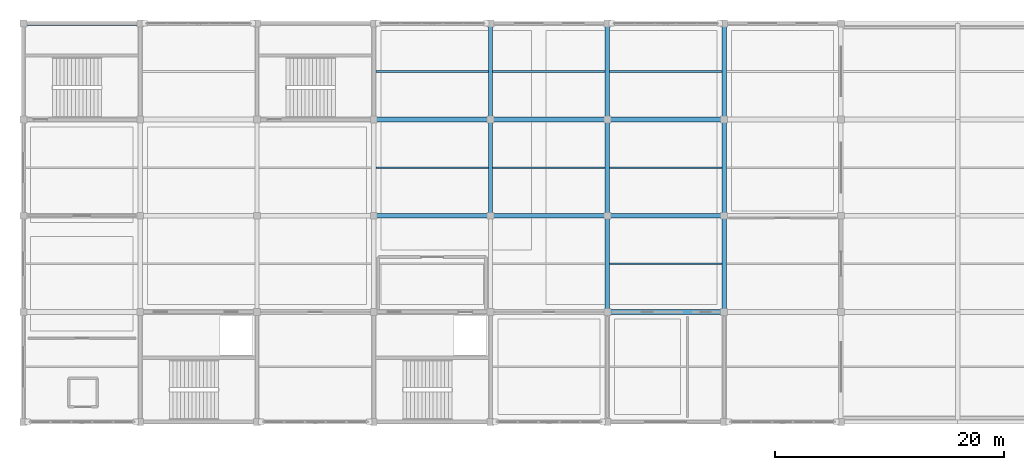
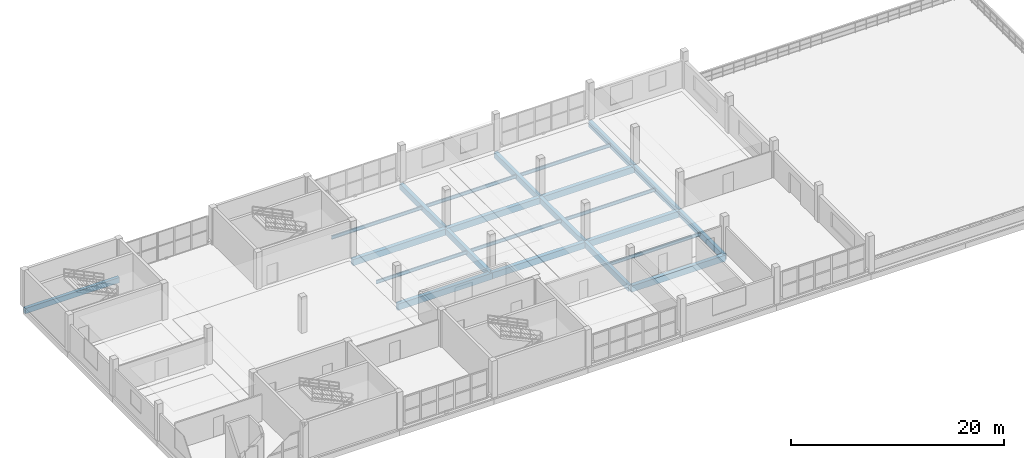
# One storey, part 10 of 24: 23 beams.
"""IFC4 building model written with IfcOpenShell, lengths in metres."""

from ifc_helpers import new_model, si_unit, direction, frame, origin, origin_2d, place, context, subcontext, project, spatial, rectangle, i_section, extrude, material, material_profile, profile_set, type_object, element, save


model = new_model("IFC4")

# Units and contexts
model_context = context("Model", 3, precision=1e-05, world=origin(), true_north=direction((0.0, 1.0)))
body_context = subcontext(model_context, "Body", "Model", "MODEL_VIEW")
ifc_project = project(units=[si_unit("LENGTHUNIT", "METRE"), si_unit("AREAUNIT", "SQUARE_METRE"), si_unit("VOLUMEUNIT", "CUBIC_METRE"), si_unit("PLANEANGLEUNIT", "RADIAN"), si_unit("MASSUNIT", "GRAM", prefix="KILO")], contexts=[model_context])

# Site, building, storey
site_placement = place(None, origin())
site = spatial("IfcSite", under=ifc_project, at=site_placement, CompositionType="ELEMENT")
building_placement = place(site_placement, origin())
building = spatial("IfcBuilding", under=site, at=building_placement, Name="Brelvane Convention Centre", CompositionType="ELEMENT")
storey_placement = place(building_placement, frame((0.0, 0.0, 19.199951171875)))
storey = spatial("IfcBuildingStorey", under=building, at=storey_placement, Name="L04", CompositionType="ELEMENT", Elevation=19.199951171875)

# Beams
ifc_material_1 = material(Name="Concrete M40", Category="concrete")
ifc_material_profile_1 = material_profile(ifc_material_1, rectangle(XDim=0.419921875, YDim=0.719970703125, at=origin_2d()), Name="RC 420x720")
ifc_profile_set_1 = profile_set([ifc_material_profile_1], Name="Concrete M40")
beam_type_1 = type_object("IfcBeamType", Name="RC Beam B-RC13 (RC 420x720)", PredefinedType="BEAM", material=ifc_profile_set_1)
for number, where, z_axis, x_axis, name in (
    (1, (30.60009765625, 127.199951171875, -0.6650390625), (1.0, 0.0, 0.0), (0.0, 1.0, 0.0), "L04 Beam 4-5/N"),
    (2, (30.60009765625, 135.60009765625, -0.6650390625), (1.0, 0.0, 0.0), (0.0, 1.0, 0.0), "L04 Beam 4-5/P"),
    (3, (40.800048828125, 127.199951171875, -0.64990234375), (1.0, 0.0, 0.0), (0.0, 1.0, 0.0), "L04 Beam 5-6/N"),
    (4, (40.800048828125, 135.60009765625, -0.64990234375), (1.0, 0.0, 0.0), (0.0, 1.0, 0.0), "L04 Beam 5-6/P"),
    (5, (51.0, 118.800048828125, -0.64990234375), (1.0, 0.0, 0.0), (0.0, 1.0, 0.0), "L04 Beam 6-7/M"),
    (6, (51.0, 127.199951171875, -0.64990234375), (1.0, 0.0, 0.0), (0.0, 1.0, 0.0), "L04 Beam 6-7/N"),
    (7, (51.0, 135.60009765625, -0.64990234375), (1.0, 0.0, 0.0), (0.0, 1.0, 0.0), "L04 Beam 6-7/P"),
):
    element("IfcBeam", number, at=place(storey_placement, frame(where, z_axis=z_axis, x_axis=x_axis)), inside=storey, type_object=beam_type_1, Name=name, PredefinedType="BEAM", context=body_context, shape_type="SweptSolid", body=[
        extrude(rectangle(XDim=0.419921875, YDim=0.719970703125, at=origin_2d()), origin(), (0.0, 0.0, 1.0), 10.199951171875),
    ])
ifc_material_2 = material(Name="Concrete M40", Category="concrete")
ifc_material_profile_2 = material_profile(ifc_material_2, rectangle(XDim=0.3798828125, YDim=0.679931640625, at=origin_2d()), Name="RC 380x680")
ifc_profile_set_2 = profile_set([ifc_material_profile_2], Name="Concrete M40")
beam_type_2 = type_object("IfcBeamType", Name="RC Beam B-RC14 (RC 380x680)", PredefinedType="BEAM", material=ifc_profile_set_2)
beam_1_placement = place(storey_placement, frame((40.800048828125, 127.199951171875, -0.64501953125), z_axis=(0.0, 1.0, 0.0), x_axis=(-1.0, 0.0, 0.0)))
element("IfcBeam", 8, at=beam_1_placement, inside=storey, type_object=beam_type_2, Name="L04 Girder 5/N-P", PredefinedType="BEAM", context=body_context, shape_type="SweptSolid", body=[
    extrude(rectangle(XDim=0.3798828125, YDim=0.679931640625, at=origin_2d()), origin(), (0.0, 0.0, 1.0), 8.400146484375),
])
for number, where, z_axis, x_axis, name in (
    (9, (40.800048828125, 135.60009765625, -0.64501953125), (0.0, 1.0, 0.0), (-1.0, 0.0, 0.0), "L04 Girder 5/P-Q"),
    (10, (51.0, 118.800048828125, -0.6298828125), (0.0, 1.0, 0.0), (-1.0, 0.0, 0.0), "L04 Girder 6/M-N"),
):
    element("IfcBeam", number, at=place(storey_placement, frame(where, z_axis=z_axis, x_axis=x_axis)), inside=storey, type_object=beam_type_2, Name=name, PredefinedType="BEAM", context=body_context, shape_type="SweptSolid", body=[
        extrude(rectangle(XDim=0.3798828125, YDim=0.679931640625, at=origin_2d()), origin(), (0.0, 0.0, 1.0), 8.39990234375),
    ])
beam_2_placement = place(storey_placement, frame((51.0, 127.199951171875, -0.6298828125), z_axis=(0.0, 1.0, 0.0), x_axis=(-1.0, 0.0, 0.0)))
element("IfcBeam", 11, at=beam_2_placement, inside=storey, type_object=beam_type_2, Name="L04 Girder 6/N-P", PredefinedType="BEAM", context=body_context, shape_type="SweptSolid", body=[
    extrude(rectangle(XDim=0.3798828125, YDim=0.679931640625, at=origin_2d()), origin(), (0.0, 0.0, 1.0), 8.400146484375),
])
for number, where, z_axis, x_axis, name in (
    (12, (51.0, 135.60009765625, -0.6298828125), (0.0, 1.0, 0.0), (-1.0, 0.0, 0.0), "L04 Girder 6/P-Q"),
    (13, (61.199951171875, 118.800048828125, -0.6298828125), (0.0, 1.0, 0.0), (-1.0, 0.0, 0.0), "L04 Girder 7/M-N"),
):
    element("IfcBeam", number, at=place(storey_placement, frame(where, z_axis=z_axis, x_axis=x_axis)), inside=storey, type_object=beam_type_2, Name=name, PredefinedType="BEAM", context=body_context, shape_type="SweptSolid", body=[
        extrude(rectangle(XDim=0.3798828125, YDim=0.679931640625, at=origin_2d()), origin(), (0.0, 0.0, 1.0), 8.39990234375),
    ])
beam_3_placement = place(storey_placement, frame((61.199951171875, 127.199951171875, -0.6298828125), z_axis=(0.0, 1.0, 0.0), x_axis=(-1.0, 0.0, 0.0)))
element("IfcBeam", 14, at=beam_3_placement, inside=storey, type_object=beam_type_2, Name="L04 Girder 7/N-P", PredefinedType="BEAM", context=body_context, shape_type="SweptSolid", body=[
    extrude(rectangle(XDim=0.3798828125, YDim=0.679931640625, at=origin_2d()), origin(), (0.0, 0.0, 1.0), 8.400146484375),
])
beam_4_placement = place(storey_placement, frame((61.199951171875, 135.60009765625, -0.6298828125), z_axis=(0.0, 1.0, 0.0), x_axis=(-1.0, 0.0, 0.0)))
element("IfcBeam", 15, at=beam_4_placement, inside=storey, type_object=beam_type_2, Name="L04 Girder 7/P-Q", PredefinedType="BEAM", context=body_context, shape_type="SweptSolid", body=[
    extrude(rectangle(XDim=0.3798828125, YDim=0.679931640625, at=origin_2d()), origin(), (0.0, 0.0, 1.0), 8.39990234375),
])
ifc_material_3 = material(Name="Concrete M40", Category="concrete")
ifc_material_profile_3 = material_profile(ifc_material_3, rectangle(XDim=0.35009765625, YDim=0.60009765625, at=origin_2d()), Name="RC 350x600")
ifc_profile_set_3 = profile_set([ifc_material_profile_3], Name="Concrete M40")
beam_type_3 = type_object("IfcBeamType", Name="RC Spandrel SP-RC2 (RC 350x600)", PredefinedType="SPANDREL", material=ifc_profile_set_3)
beam_5_placement = place(storey_placement, frame((0.0, 144.0, -0.60498046875), z_axis=(1.0, 0.0, 0.0), x_axis=(0.0, 1.0, 0.0)))
element("IfcBeam", 16, at=beam_5_placement, inside=storey, type_object=beam_type_3, Name="L04 Beam 1-2/Q", PredefinedType="SPANDREL", context=body_context, shape_type="SweptSolid", body=[
    extrude(rectangle(XDim=0.35009765625, YDim=0.60009765625, at=origin_2d()), origin(), (0.0, 0.0, 1.0), 10.199951171875),
])
ifc_material_4 = material(Name="Steel E350 (350 MPa)", Category="steel")
ifc_material_profile_4 = material_profile(ifc_material_4, i_section(OverallWidth=0.139892578125, OverallDepth=0.39990234375, WebThickness=0.0087890625, FlangeThickness=0.01611328125, FilletRadius=0.013916015625, at=origin_2d()), Name="ISMB 400")
ifc_profile_set_4 = profile_set([ifc_material_profile_4], Name="Steel E350 (350 MPa)")
beam_type_4 = type_object("IfcBeamType", Name="Steel Joist J-ST1 (ISMB 400)", PredefinedType="JOIST", material=ifc_profile_set_4)
for number, where, z_axis, x_axis, name in (
    (17, (30.7900390625, 131.39990234375, -0.5048828125), (1.0, 0.0, 0.0), (0.0, 1.0, 0.0), "L04 Secondary Joist 4-5/NP"),
    (18, (30.7900390625, 139.800048828125, -0.5048828125), (1.0, 0.0, 0.0), (0.0, 1.0, 0.0), "L04 Secondary Joist 4-5/PQ"),
    (19, (40.989990234375, 131.39990234375, -0.489990234375), (1.0, 0.0, 0.0), (0.0, 1.0, 0.0), "L04 Secondary Joist 5-6/NP"),
    (20, (40.989990234375, 139.800048828125, -0.489990234375), (1.0, 0.0, 0.0), (0.0, 1.0, 0.0), "L04 Secondary Joist 5-6/PQ"),
    (21, (51.18994140625, 123.0, -0.489990234375), (1.0, 0.0, 0.0), (0.0, 1.0, 0.0), "L04 Secondary Joist 6-7/MN"),
    (22, (51.18994140625, 131.39990234375, -0.489990234375), (1.0, 0.0, 0.0), (0.0, 1.0, 0.0), "L04 Secondary Joist 6-7/NP"),
    (23, (51.18994140625, 139.800048828125, -0.489990234375), (1.0, 0.0, 0.0), (0.0, 1.0, 0.0), "L04 Secondary Joist 6-7/PQ"),
):
    element("IfcBeam", number, at=place(storey_placement, frame(where, z_axis=z_axis, x_axis=x_axis)), inside=storey, type_object=beam_type_4, Name=name, PredefinedType="JOIST", context=body_context, shape_type="SweptSolid", body=[
        extrude(i_section(OverallWidth=0.139892578125, OverallDepth=0.39990234375, WebThickness=0.0087890625, FlangeThickness=0.01611328125, FilletRadius=0.013916015625, at=origin_2d()), origin(), (0.0, 0.0, 1.0), 9.820068359375),
    ])

save(model, "model.ifc")
